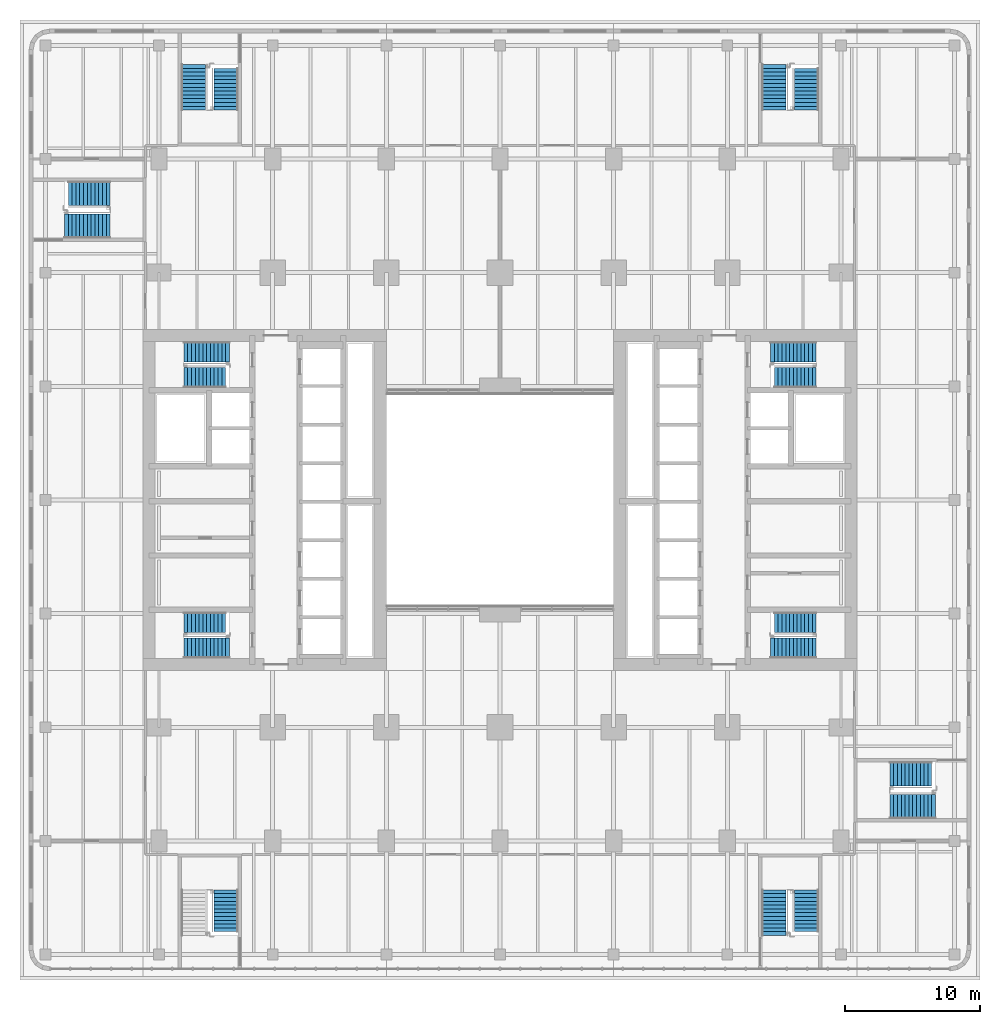
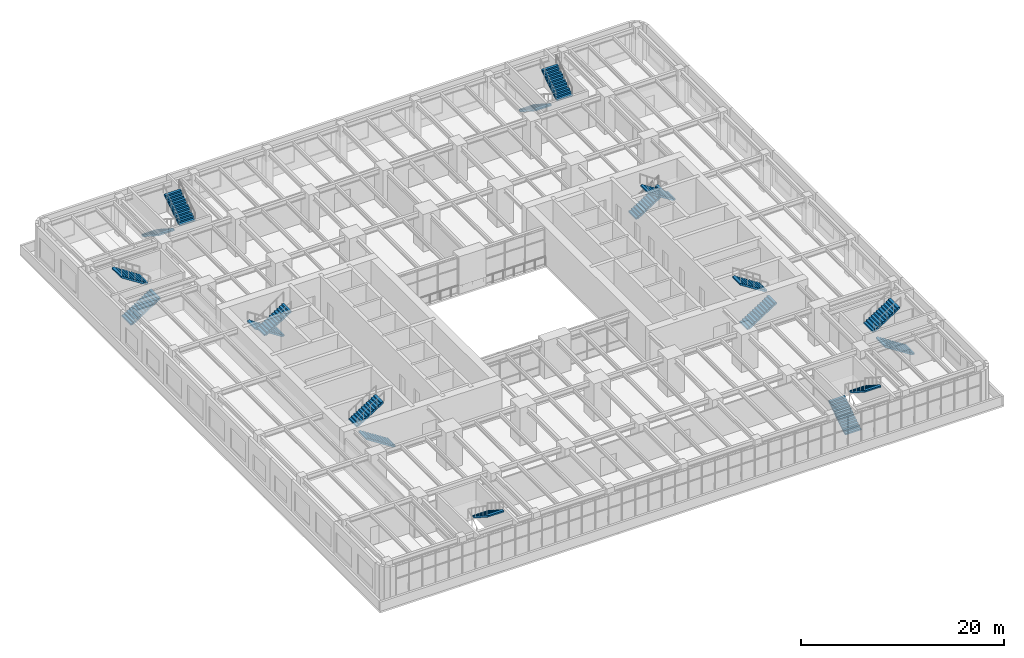
# One storey, part 23 of 30: 19 stair flights, 10 elements without a shape of their own.
"""IFC4 building model written with IfcOpenShell, lengths in metres."""

import ifcopenshell
import ifcopenshell.guid

model = None  # the IFC model being written
_history = None  # IfcOwnerHistory: only IFC2X3 demands one
_inside = {}  # id of a spatial element -> (the spatial element, [elements in it])
_under = {}  # id of a project, library or spatial element -> (it, [spatial elements below it])
_declared = {}  # id of a project -> (the project, [libraries it declares])
_typed = {}  # id of a type object -> (the type object, [elements of that type])
_made_of = {}  # id of a material, layer set ... -> (it, [elements and type objects made of it])


def new_model(schema):
    """Start an empty IFC model of exactly this schema.

    Asked for "IFC4X3", IfcOpenShell would pick the latest addendum, in which some entities
    have other attributes; the version numbers below select the first issue.
    IFC2X3 requires an IfcOwnerHistory on every rooted entity: one is made here for all.
    """
    global model, _history
    if schema == "IFC4X3":
        model = ifcopenshell.file(schema_version=(4, 3, 0, 0))
    else:
        model = ifcopenshell.file(schema=schema)
    _inside.clear()
    _under.clear()
    _declared.clear()
    _typed.clear()
    _made_of.clear()
    _history = None
    if model.schema == "IFC2X3":
        org = make("IfcOrganization", Name="unknown")
        user = make(
            "IfcPersonAndOrganization",
            ThePerson=make("IfcPerson", FamilyName="unknown"),
            TheOrganization=org,
        )
        app = make(
            "IfcApplication",
            ApplicationDeveloper=org,
            Version="unknown",
            ApplicationFullName="unknown",
            ApplicationIdentifier="unknown",
        )
        _history = make(
            "IfcOwnerHistory",
            OwningUser=user,
            OwningApplication=app,
            ChangeAction="ADDED",
            CreationDate=0,
        )
    return model


def make(cls, **values):
    """One entity of the class cls with the attributes given. An attribute that is None is left unset."""
    return model.create_entity(
        cls, **{name: value for name, value in values.items() if value is not None}
    )


def rooted(cls, **values):
    """An entity with a GlobalId (a new one), such as an element, a storey or a relation."""
    return make(cls, GlobalId=ifcopenshell.guid.new(), OwnerHistory=_history, **values)


def si_unit(unit_type, name, prefix=None):
    """IfcSIUnit, for example si_unit("LENGTHUNIT", "METRE", prefix="MILLI")."""
    return make("IfcSIUnit", UnitType=unit_type, Prefix=prefix, Name=name)


def assignment(units):
    """IfcUnitAssignment: the units of a project."""
    return None if units is None else make("IfcUnitAssignment", Units=units)


def point(xyz):
    """IfcCartesianPoint."""
    return None if xyz is None else make("IfcCartesianPoint", Coordinates=xyz)


def direction(xyz):
    """IfcDirection."""
    return None if xyz is None else make("IfcDirection", DirectionRatios=xyz)


def frame(location, z_axis=None, x_axis=None):
    """IfcAxis2Placement3D, a coordinate frame: its origin and axes. An axis left out is left unset."""
    return make(
        "IfcAxis2Placement3D",
        Location=point(location),
        Axis=direction(z_axis),
        RefDirection=direction(x_axis),
    )


def origin():
    """The frame at (0, 0, 0) with its axes left unset."""
    return frame((0.0, 0.0, 0.0))


def place(relative_to, where):
    """IfcLocalPlacement: puts the frame where relative to a parent placement (None: the world)."""
    return make(
        "IfcLocalPlacement", PlacementRelTo=relative_to, RelativePlacement=where
    )


def context(
    kind, dimensions, precision=None, world=None, true_north=None, identifier=None
):
    """IfcGeometricRepresentationContext, for example the 3D "Model" context."""
    return make(
        "IfcGeometricRepresentationContext",
        ContextIdentifier=identifier,
        ContextType=kind,
        CoordinateSpaceDimension=dimensions,
        Precision=precision,
        WorldCoordinateSystem=world,
        TrueNorth=true_north,
    )


def subcontext(parent, identifier, kind, view, scale=None):
    """IfcGeometricRepresentationSubContext, for example "Body" below "Model"."""
    return make(
        "IfcGeometricRepresentationSubContext",
        ContextIdentifier=identifier,
        ContextType=kind,
        ParentContext=parent,
        TargetScale=scale,
        TargetView=view,
    )


def project(units=None, contexts=None):
    """IfcProject with its units and contexts."""
    return rooted(
        "IfcProject",
        Name="project",
        RepresentationContexts=contexts,
        UnitsInContext=assignment(units),
    )


def spatial(cls, under=None, at=None, **own):
    """A site, building, storey or space (cls), placed at a placement, below another one or the project."""
    s = rooted(cls, ObjectPlacement=at, **own)
    if under is not None:
        _under.setdefault(under.id(), (under, []))[1].append(s)
    return s


def polyline(points):
    """IfcPolyline through the points."""
    return make("IfcPolyline", Points=[point(p) for p in points])


def outline(outer, holes=None, kind="AREA"):
    """IfcArbitraryClosedProfileDef: a profile drawn as a closed curve; with holes, ...WithVoids."""
    if holes is None:
        return make("IfcArbitraryClosedProfileDef", ProfileType=kind, OuterCurve=outer)
    return make(
        "IfcArbitraryProfileDefWithVoids",
        ProfileType=kind,
        OuterCurve=outer,
        InnerCurves=holes,
    )


def extrude(swept, where, along, depth):
    """IfcExtrudedAreaSolid: the profile swept, set in the frame where, extruded along a direction by depth."""
    return make(
        "IfcExtrudedAreaSolid",
        SweptArea=swept,
        Position=where,
        ExtrudedDirection=direction(along),
        Depth=depth,
    )


def shape(context_of_items, identifier, shape_type, items):
    """IfcShapeRepresentation: the items that make up one representation, for example the "Body"."""
    return make(
        "IfcShapeRepresentation",
        ContextOfItems=context_of_items,
        RepresentationIdentifier=identifier,
        RepresentationType=shape_type,
        Items=items,
    )


def material(Name=None, Category=None):
    """IfcMaterial."""
    return make("IfcMaterial", Name=Name, Category=Category)


def made_of(thing, what):
    """Note that an element or type object is made of a material, layer set ...; save() writes the relation."""
    if what is not None:
        _made_of.setdefault(what.id(), (what, []))[1].append(thing)
    return thing


def type_object(cls, material=None, **own):
    """A type object (cls), such as IfcWallType, which elements share."""
    return made_of(rooted(cls, **own), material)


def element(
    cls,
    number,
    at=None,
    inside=None,
    cuts=None,
    type_object=None,
    material=None,
    context=None,
    identifier="Body",
    shape_type=None,
    held_by="IfcProductDefinitionShape",
    body=None,
    shapes=None,
    **own,
):
    """One element of the class cls, such as IfcWall. Its Tag is "e" and its number.

    at: its placement. inside: the storey or other place that contains it. cuts: it is an
    opening in that element (IfcRelVoidsElement). A single representation is given by context,
    identifier, shape_type and body (its items); several are given by shapes. held_by: the class
    of the entity that holds the representations. save() writes the other relations.
    """
    e = rooted(cls, Tag="e%d" % number, ObjectPlacement=at, **own)
    if body is not None:
        shapes = [shape(context, identifier, shape_type, body)]
    if shapes is not None:
        e.Representation = make(held_by, Representations=shapes)
    if inside is not None:
        _inside.setdefault(inside.id(), (inside, []))[1].append(e)
    if cuts is not None:
        rooted(
            "IfcRelVoidsElement", RelatingBuildingElement=cuts, RelatedOpeningElement=e
        )
    if type_object is not None:
        _typed.setdefault(type_object.id(), (type_object, []))[1].append(e)
    return made_of(e, material)


def aggregate(whole, parts):
    """IfcRelAggregates: a whole, such as a stair, and the parts it consists of."""
    return rooted("IfcRelAggregates", RelatingObject=whole, RelatedObjects=parts)


def save(model, path):
    """Write the relations noted so far, then the file.

    IfcRelAggregates (storeys below a building ...), IfcRelContainedInSpatialStructure (elements
    in a storey), IfcRelDefinesByType, IfcRelAssociatesMaterial and IfcRelDeclares: one each for
    every whole, place, type object, material and project.
    """
    for whole, parts in _under.values():
        aggregate(whole, parts)
    for where, things in _inside.values():
        rooted(
            "IfcRelContainedInSpatialStructure",
            RelatedElements=things,
            RelatingStructure=where,
        )
    for kind, things in _typed.values():
        rooted("IfcRelDefinesByType", RelatedObjects=things, RelatingType=kind)
    for what, things in _made_of.values():
        rooted("IfcRelAssociatesMaterial", RelatedObjects=things, RelatingMaterial=what)
    for by, libraries in _declared.values():
        rooted("IfcRelDeclares", RelatingContext=by, RelatedDefinitions=libraries)
    model.write(path)


model = new_model("IFC4")

# Units and contexts
model_context = context("Model", 3, precision=1e-05, world=origin(), true_north=direction((0.0, 1.0)))
body_context = subcontext(model_context, "Body", "Model", "MODEL_VIEW")
ifc_project = project(units=[si_unit("LENGTHUNIT", "METRE"), si_unit("AREAUNIT", "SQUARE_METRE"), si_unit("VOLUMEUNIT", "CUBIC_METRE"), si_unit("PLANEANGLEUNIT", "RADIAN"), si_unit("MASSUNIT", "GRAM", prefix="KILO")], contexts=[model_context])

# Site, building, storey
site_placement = place(None, origin())
site = spatial("IfcSite", under=ifc_project, at=site_placement, CompositionType="ELEMENT")
building_placement = place(site_placement, origin())
building = spatial("IfcBuilding", under=site, at=building_placement, Name="Claustro Exchange Tower", CompositionType="ELEMENT")
storey_placement = place(building_placement, frame((0.0, 0.0, 5.39990234375)))
storey = spatial("IfcBuildingStorey", under=building, at=storey_placement, Name="L01", CompositionType="ELEMENT", Elevation=5.39990234375)

# Stair, stair flight
ifc_material_1 = material(Name="Concrete HA-30 (C30/37), precast", Category="concrete")
stair_type_1 = type_object("IfcStairType", Name="ST2 half-turn stair, 25 risers of 180", PredefinedType="HALF_TURN_STAIR", material=ifc_material_1)
stair_1_placement = place(storey_placement, origin())
stair_1 = element("IfcStair", 1, at=stair_1_placement, inside=storey, type_object=stair_type_1, Name="Stair STWA L01", PredefinedType="HALF_TURN_STAIR")
ifc_material_2 = material(Name="Concrete HA-30 (C30/37), precast", Category="concrete")
stair_flight_type_1 = type_object("IfcStairFlightType", Name="SF12B straight flight, 12 risers of 180, 1500 wide", PredefinedType="STRAIGHT", material=ifc_material_2)
stair_flight_1_placement = place(storey_placement, frame((1.840087890625, 16.14990234375, 2.340087890625), z_axis=(0.0, 0.0, 1.0), x_axis=(1.0, 0.0, 0.0)))
stair_flight_1 = element("IfcStairFlight", 2, at=stair_flight_1_placement, type_object=stair_flight_type_1, Name="STWA flight 2", NumberOfRisers=12, NumberOfTreads=11, PredefinedType="STRAIGHT", RiserHeight=0.18, TreadLength=0.28, context=body_context, shape_type="SweptSolid", body=[
    extrude(outline(polyline([(0.0, 0.0), (0.0, 0.179931640625), (0.280029296875, 0.179931640625), (0.280029296875, 0.360107421875), (0.56005859375, 0.360107421875), (0.56005859375, 0.5400390625), (0.840087890625, 0.5400390625), (0.840087890625, 0.719970703125), (1.1201171875, 0.719970703125), (1.1201171875, 0.89990234375), (1.39990234375, 0.89990234375), (1.39990234375, 1.080078125), (1.679931640625, 1.080078125), (1.679931640625, 1.260009765625), (1.9599609375, 1.260009765625), (1.9599609375, 1.43994140625), (2.239990234375, 1.43994140625), (2.239990234375, 1.6201171875), (2.52001953125, 1.6201171875), (2.52001953125, 1.800048828125), (2.800048828125, 1.800048828125), (2.800048828125, 1.97998046875), (3.080078125, 1.97998046875), (3.080078125, 2.159912109375), (3.080078125, 1.8017578125), (0.277099609375, 0.0), (0.0, 0.0)])), frame((0.0, 0.75, 0.0), z_axis=(0.0, -1.0, 0.0), x_axis=(1.0, 0.0, 0.0)), (0.0, 0.0, 1.0), 1.5),
])

stair_2_placement = place(storey_placement, origin())
stair_2 = element("IfcStair", 3, at=stair_2_placement, inside=storey, type_object=stair_type_1, Name="Stair STWB L01", PredefinedType="HALF_TURN_STAIR")
stair_flight_2_placement = place(storey_placement, frame((1.840087890625, 34.25, 2.340087890625), z_axis=(0.0, 0.0, 1.0), x_axis=(1.0, 0.0, 0.0)))
stair_flight_2 = element("IfcStairFlight", 4, at=stair_flight_2_placement, type_object=stair_flight_type_1, Name="STWB flight 2", NumberOfRisers=12, NumberOfTreads=11, PredefinedType="STRAIGHT", RiserHeight=0.18, TreadLength=0.28, context=body_context, shape_type="SweptSolid", body=[
    extrude(outline(polyline([(0.0, 0.0), (0.0, 0.179931640625), (0.280029296875, 0.179931640625), (0.280029296875, 0.360107421875), (0.56005859375, 0.360107421875), (0.56005859375, 0.5400390625), (0.840087890625, 0.5400390625), (0.840087890625, 0.719970703125), (1.1201171875, 0.719970703125), (1.1201171875, 0.89990234375), (1.39990234375, 0.89990234375), (1.39990234375, 1.080078125), (1.679931640625, 1.080078125), (1.679931640625, 1.260009765625), (1.9599609375, 1.260009765625), (1.9599609375, 1.43994140625), (2.239990234375, 1.43994140625), (2.239990234375, 1.6201171875), (2.52001953125, 1.6201171875), (2.52001953125, 1.800048828125), (2.800048828125, 1.800048828125), (2.800048828125, 1.97998046875), (3.080078125, 1.97998046875), (3.080078125, 2.159912109375), (3.080078125, 1.8017578125), (0.277099609375, 0.0), (0.0, 0.0)])), frame((0.0, 0.75, 0.0), z_axis=(0.0, -1.0, 0.0), x_axis=(1.0, 0.0, 0.0)), (0.0, 0.0, 1.0), 1.5),
])

stair_3_placement = place(storey_placement, origin())
stair_3 = element("IfcStair", 5, at=stair_3_placement, inside=storey, type_object=stair_type_1, Name="Stair STEA L01", PredefinedType="HALF_TURN_STAIR")
stair_flight_3_placement = place(storey_placement, frame((48.56005859375, 16.14990234375, 2.340087890625), z_axis=(0.0, 0.0, 1.0), x_axis=(-1.0, 0.0, 0.0)))
stair_flight_3 = element("IfcStairFlight", 6, at=stair_flight_3_placement, type_object=stair_flight_type_1, Name="STEA flight 2", NumberOfRisers=12, NumberOfTreads=11, PredefinedType="STRAIGHT", RiserHeight=0.18, TreadLength=0.28, context=body_context, shape_type="SweptSolid", body=[
    extrude(outline(polyline([(0.0, 0.0), (0.0, 0.179931640625), (0.280029296875, 0.179931640625), (0.280029296875, 0.360107421875), (0.56005859375, 0.360107421875), (0.56005859375, 0.5400390625), (0.840087890625, 0.5400390625), (0.840087890625, 0.719970703125), (1.1201171875, 0.719970703125), (1.1201171875, 0.89990234375), (1.39990234375, 0.89990234375), (1.39990234375, 1.080078125), (1.679931640625, 1.080078125), (1.679931640625, 1.260009765625), (1.9599609375, 1.260009765625), (1.9599609375, 1.43994140625), (2.239990234375, 1.43994140625), (2.239990234375, 1.6201171875), (2.52001953125, 1.6201171875), (2.52001953125, 1.800048828125), (2.800048828125, 1.800048828125), (2.800048828125, 1.97998046875), (3.080078125, 1.97998046875), (3.080078125, 2.159912109375), (3.080078125, 1.8017578125), (0.277099609375, 0.0), (0.0, 0.0)])), frame((0.0, 0.75, 0.0), z_axis=(0.0, -1.0, 0.0), x_axis=(1.0, 0.0, 0.0)), (0.0, 0.0, 1.0), 1.5),
])

stair_4_placement = place(storey_placement, origin())
stair_4 = element("IfcStair", 7, at=stair_4_placement, inside=storey, type_object=stair_type_1, Name="Stair STEB L01", PredefinedType="HALF_TURN_STAIR")
stair_flight_4_placement = place(storey_placement, frame((48.56005859375, 34.25, 2.340087890625), z_axis=(0.0, 0.0, 1.0), x_axis=(-1.0, 0.0, 0.0)))
stair_flight_4 = element("IfcStairFlight", 8, at=stair_flight_4_placement, type_object=stair_flight_type_1, Name="STEB flight 2", NumberOfRisers=12, NumberOfTreads=11, PredefinedType="STRAIGHT", RiserHeight=0.18, TreadLength=0.28, context=body_context, shape_type="SweptSolid", body=[
    extrude(outline(polyline([(0.0, 0.0), (0.0, 0.179931640625), (0.280029296875, 0.179931640625), (0.280029296875, 0.360107421875), (0.56005859375, 0.360107421875), (0.56005859375, 0.5400390625), (0.840087890625, 0.5400390625), (0.840087890625, 0.719970703125), (1.1201171875, 0.719970703125), (1.1201171875, 0.89990234375), (1.39990234375, 0.89990234375), (1.39990234375, 1.080078125), (1.679931640625, 1.080078125), (1.679931640625, 1.260009765625), (1.9599609375, 1.260009765625), (1.9599609375, 1.43994140625), (2.239990234375, 1.43994140625), (2.239990234375, 1.6201171875), (2.52001953125, 1.6201171875), (2.52001953125, 1.800048828125), (2.800048828125, 1.800048828125), (2.800048828125, 1.97998046875), (3.080078125, 1.97998046875), (3.080078125, 2.159912109375), (3.080078125, 1.8017578125), (0.277099609375, 0.0), (0.0, 0.0)])), frame((0.0, 0.75, 0.0), z_axis=(0.0, -1.0, 0.0), x_axis=(1.0, 0.0, 0.0)), (0.0, 0.0, 1.0), 1.5),
])

# Stair flight
ifc_material_3 = material(Name="Concrete HA-30 (C30/37), precast", Category="concrete")
stair_flight_type_2 = type_object("IfcStairFlightType", Name="SF13 straight flight, 13 risers of 180, 1500 wide", PredefinedType="STRAIGHT", material=ifc_material_3)
stair_flight_5_placement = place(storey_placement, frame((5.199951171875, 14.25, 0.0), z_axis=(0.0, 0.0, 1.0), x_axis=(-1.0, 0.0, 0.0)))
stair_flight_5 = element("IfcStairFlight", 9, at=stair_flight_5_placement, type_object=stair_flight_type_2, Name="STWA flight 1", NumberOfRisers=13, NumberOfTreads=12, PredefinedType="STRAIGHT", RiserHeight=0.18, TreadLength=0.28, context=body_context, shape_type="SweptSolid", body=[
    extrude(outline(polyline([(0.0, 0.0), (0.0, 0.179931640625), (0.280029296875, 0.179931640625), (0.280029296875, 0.360107421875), (0.56005859375, 0.360107421875), (0.56005859375, 0.5400390625), (0.840087890625, 0.5400390625), (0.840087890625, 0.719970703125), (1.1201171875, 0.719970703125), (1.1201171875, 0.89990234375), (1.39990234375, 0.89990234375), (1.39990234375, 1.080078125), (1.679931640625, 1.080078125), (1.679931640625, 1.260009765625), (1.9599609375, 1.260009765625), (1.9599609375, 1.43994140625), (2.239990234375, 1.43994140625), (2.239990234375, 1.6201171875), (2.52001953125, 1.6201171875), (2.52001953125, 1.800048828125), (2.800048828125, 1.800048828125), (2.800048828125, 1.97998046875), (3.080078125, 1.97998046875), (3.080078125, 2.159912109375), (3.360107421875, 2.159912109375), (3.360107421875, 2.340087890625), (3.360107421875, 1.981689453125), (0.277099609375, 0.0), (0.0, 0.0)])), frame((0.0, 0.75, 0.0), z_axis=(0.0, -1.0, 0.0), x_axis=(1.0, 0.0, 0.0)), (0.0, 0.0, 1.0), 1.5),
])

aggregate(stair_1, [stair_flight_5, stair_flight_1])

stair_flight_6_placement = place(storey_placement, frame((5.199951171875, 36.14990234375, 0.0), z_axis=(0.0, 0.0, 1.0), x_axis=(-1.0, 0.0, 0.0)))
stair_flight_6 = element("IfcStairFlight", 10, at=stair_flight_6_placement, type_object=stair_flight_type_2, Name="STWB flight 1", NumberOfRisers=13, NumberOfTreads=12, PredefinedType="STRAIGHT", RiserHeight=0.18, TreadLength=0.28, context=body_context, shape_type="SweptSolid", body=[
    extrude(outline(polyline([(0.0, 0.0), (0.0, 0.179931640625), (0.280029296875, 0.179931640625), (0.280029296875, 0.360107421875), (0.56005859375, 0.360107421875), (0.56005859375, 0.5400390625), (0.840087890625, 0.5400390625), (0.840087890625, 0.719970703125), (1.1201171875, 0.719970703125), (1.1201171875, 0.89990234375), (1.39990234375, 0.89990234375), (1.39990234375, 1.080078125), (1.679931640625, 1.080078125), (1.679931640625, 1.260009765625), (1.9599609375, 1.260009765625), (1.9599609375, 1.43994140625), (2.239990234375, 1.43994140625), (2.239990234375, 1.6201171875), (2.52001953125, 1.6201171875), (2.52001953125, 1.800048828125), (2.800048828125, 1.800048828125), (2.800048828125, 1.97998046875), (3.080078125, 1.97998046875), (3.080078125, 2.159912109375), (3.360107421875, 2.159912109375), (3.360107421875, 2.340087890625), (3.360107421875, 1.981689453125), (0.277099609375, 0.0), (0.0, 0.0)])), frame((0.0, 0.75, 0.0), z_axis=(0.0, -1.0, 0.0), x_axis=(1.0, 0.0, 0.0)), (0.0, 0.0, 1.0), 1.5),
])

aggregate(stair_2, [stair_flight_6, stair_flight_2])

stair_flight_7_placement = place(storey_placement, frame((45.199951171875, 14.25, 0.0), z_axis=(0.0, 0.0, 1.0), x_axis=(1.0, 0.0, 0.0)))
stair_flight_7 = element("IfcStairFlight", 11, at=stair_flight_7_placement, type_object=stair_flight_type_2, Name="STEA flight 1", NumberOfRisers=13, NumberOfTreads=12, PredefinedType="STRAIGHT", RiserHeight=0.18, TreadLength=0.28, context=body_context, shape_type="SweptSolid", body=[
    extrude(outline(polyline([(0.0, 0.0), (0.0, 0.179931640625), (0.280029296875, 0.179931640625), (0.280029296875, 0.360107421875), (0.56005859375, 0.360107421875), (0.56005859375, 0.5400390625), (0.840087890625, 0.5400390625), (0.840087890625, 0.719970703125), (1.1201171875, 0.719970703125), (1.1201171875, 0.89990234375), (1.39990234375, 0.89990234375), (1.39990234375, 1.080078125), (1.679931640625, 1.080078125), (1.679931640625, 1.260009765625), (1.9599609375, 1.260009765625), (1.9599609375, 1.43994140625), (2.239990234375, 1.43994140625), (2.239990234375, 1.6201171875), (2.52001953125, 1.6201171875), (2.52001953125, 1.800048828125), (2.800048828125, 1.800048828125), (2.800048828125, 1.97998046875), (3.080078125, 1.97998046875), (3.080078125, 2.159912109375), (3.360107421875, 2.159912109375), (3.360107421875, 2.340087890625), (3.360107421875, 1.981689453125), (0.277099609375, 0.0), (0.0, 0.0)])), frame((0.0, 0.75, 0.0), z_axis=(0.0, -1.0, 0.0), x_axis=(1.0, 0.0, 0.0)), (0.0, 0.0, 1.0), 1.5),
])

aggregate(stair_3, [stair_flight_7, stair_flight_3])

stair_flight_8_placement = place(storey_placement, frame((45.199951171875, 36.14990234375, 0.0), z_axis=(0.0, 0.0, 1.0), x_axis=(1.0, 0.0, 0.0)))
stair_flight_8 = element("IfcStairFlight", 12, at=stair_flight_8_placement, type_object=stair_flight_type_2, Name="STEB flight 1", NumberOfRisers=13, NumberOfTreads=12, PredefinedType="STRAIGHT", RiserHeight=0.18, TreadLength=0.28, context=body_context, shape_type="SweptSolid", body=[
    extrude(outline(polyline([(0.0, 0.0), (0.0, 0.179931640625), (0.280029296875, 0.179931640625), (0.280029296875, 0.360107421875), (0.56005859375, 0.360107421875), (0.56005859375, 0.5400390625), (0.840087890625, 0.5400390625), (0.840087890625, 0.719970703125), (1.1201171875, 0.719970703125), (1.1201171875, 0.89990234375), (1.39990234375, 0.89990234375), (1.39990234375, 1.080078125), (1.679931640625, 1.080078125), (1.679931640625, 1.260009765625), (1.9599609375, 1.260009765625), (1.9599609375, 1.43994140625), (2.239990234375, 1.43994140625), (2.239990234375, 1.6201171875), (2.52001953125, 1.6201171875), (2.52001953125, 1.800048828125), (2.800048828125, 1.800048828125), (2.800048828125, 1.97998046875), (3.080078125, 1.97998046875), (3.080078125, 2.159912109375), (3.360107421875, 2.159912109375), (3.360107421875, 2.340087890625), (3.360107421875, 1.981689453125), (0.277099609375, 0.0), (0.0, 0.0)])), frame((0.0, 0.75, 0.0), z_axis=(0.0, -1.0, 0.0), x_axis=(1.0, 0.0, 0.0)), (0.0, 0.0, 1.0), 1.5),
])

aggregate(stair_4, [stair_flight_8, stair_flight_4])

# Stair, stair flight
ifc_material_4 = material(Name="Concrete HA-30 (C30/37), precast", Category="concrete")
stair_type_2 = type_object("IfcStairType", Name="ST5 half-turn podium escape stair, 25 risers of 180, 1800 flights", PredefinedType="HALF_TURN_STAIR", material=ifc_material_4)
stair_5_placement = place(storey_placement, origin())
stair_5 = element("IfcStair", 13, at=stair_5_placement, inside=storey, type_object=stair_type_2, Name="Stair STP1 L01", PredefinedType="HALF_TURN_STAIR")
ifc_material_5 = material(Name="Concrete HA-30 (C30/37), precast", Category="concrete")
stair_flight_type_3 = type_object("IfcStairFlightType", Name="SFP12 straight flight, 12 risers of 180, 1800 wide", PredefinedType="STRAIGHT", material=ifc_material_5)
stair_flight_9_placement = place(storey_placement, frame((4.949951171875, -3.6201171875, 2.340087890625), z_axis=(0.0, 0.0, 1.0), x_axis=(0.0, -1.0, 0.0)))
stair_flight_9 = element("IfcStairFlight", 14, at=stair_flight_9_placement, type_object=stair_flight_type_3, Name="STP1 flight 2", NumberOfRisers=12, NumberOfTreads=11, PredefinedType="STRAIGHT", RiserHeight=0.18, TreadLength=0.28, context=body_context, shape_type="SweptSolid", body=[
    extrude(outline(polyline([(0.0, 0.0), (0.0, 0.179931640625), (0.280029296875, 0.179931640625), (0.280029296875, 0.360107421875), (0.56005859375, 0.360107421875), (0.56005859375, 0.5400390625), (0.840087890625, 0.5400390625), (0.840087890625, 0.719970703125), (1.1201171875, 0.719970703125), (1.1201171875, 0.89990234375), (1.39990234375, 0.89990234375), (1.39990234375, 1.080078125), (1.679931640625, 1.080078125), (1.679931640625, 1.260009765625), (1.9599609375, 1.260009765625), (1.9599609375, 1.43994140625), (2.239990234375, 1.43994140625), (2.239990234375, 1.6201171875), (2.52001953125, 1.6201171875), (2.52001953125, 1.800048828125), (2.800048828125, 1.800048828125), (2.800048828125, 1.97998046875), (3.080078125, 1.97998046875), (3.080078125, 2.159912109375), (3.080078125, 1.8017578125), (0.277099609375, 0.0), (0.0, 0.0)])), frame((0.0, 0.89990234375, 0.0), z_axis=(0.0, -1.0, 0.0), x_axis=(1.0, 0.0, 0.0)), (0.0, 0.0, 1.0), 1.800048828125),
])
aggregate(stair_5, [stair_flight_9])

stair_6_placement = place(storey_placement, origin())
stair_6 = element("IfcStair", 15, at=stair_6_placement, inside=storey, type_object=stair_type_2, Name="Stair STP2 L01", PredefinedType="HALF_TURN_STAIR")
stair_flight_10_placement = place(storey_placement, frame((47.85009765625, -3.6201171875, 2.340087890625), z_axis=(0.0, 0.0, 1.0), x_axis=(0.0, -1.0, 0.0)))
stair_flight_10 = element("IfcStairFlight", 16, at=stair_flight_10_placement, type_object=stair_flight_type_3, Name="STP2 flight 2", NumberOfRisers=12, NumberOfTreads=11, PredefinedType="STRAIGHT", RiserHeight=0.18, TreadLength=0.28, context=body_context, shape_type="SweptSolid", body=[
    extrude(outline(polyline([(0.0, 0.0), (0.0, 0.179931640625), (0.280029296875, 0.179931640625), (0.280029296875, 0.360107421875), (0.56005859375, 0.360107421875), (0.56005859375, 0.5400390625), (0.840087890625, 0.5400390625), (0.840087890625, 0.719970703125), (1.1201171875, 0.719970703125), (1.1201171875, 0.89990234375), (1.39990234375, 0.89990234375), (1.39990234375, 1.080078125), (1.679931640625, 1.080078125), (1.679931640625, 1.260009765625), (1.9599609375, 1.260009765625), (1.9599609375, 1.43994140625), (2.239990234375, 1.43994140625), (2.239990234375, 1.6201171875), (2.52001953125, 1.6201171875), (2.52001953125, 1.800048828125), (2.800048828125, 1.800048828125), (2.800048828125, 1.97998046875), (3.080078125, 1.97998046875), (3.080078125, 2.159912109375), (3.080078125, 1.8017578125), (0.277099609375, 0.0), (0.0, 0.0)])), frame((0.0, 0.89990234375, 0.0), z_axis=(0.0, -1.0, 0.0), x_axis=(1.0, 0.0, 0.0)), (0.0, 0.0, 1.0), 1.800048828125),
])

stair_7_placement = place(storey_placement, origin())
stair_7 = element("IfcStair", 17, at=stair_7_placement, inside=storey, type_object=stair_type_2, Name="Stair STP3 L01", PredefinedType="HALF_TURN_STAIR")
stair_flight_11_placement = place(storey_placement, frame((4.949951171875, 54.02001953125, 2.340087890625), z_axis=(0.0, 0.0, 1.0), x_axis=(0.0, 1.0, 0.0)))
stair_flight_11 = element("IfcStairFlight", 18, at=stair_flight_11_placement, type_object=stair_flight_type_3, Name="STP3 flight 2", NumberOfRisers=12, NumberOfTreads=11, PredefinedType="STRAIGHT", RiserHeight=0.18, TreadLength=0.28, context=body_context, shape_type="SweptSolid", body=[
    extrude(outline(polyline([(0.0, 0.0), (0.0, 0.179931640625), (0.280029296875, 0.179931640625), (0.280029296875, 0.360107421875), (0.56005859375, 0.360107421875), (0.56005859375, 0.5400390625), (0.840087890625, 0.5400390625), (0.840087890625, 0.719970703125), (1.1201171875, 0.719970703125), (1.1201171875, 0.89990234375), (1.39990234375, 0.89990234375), (1.39990234375, 1.080078125), (1.679931640625, 1.080078125), (1.679931640625, 1.260009765625), (1.9599609375, 1.260009765625), (1.9599609375, 1.43994140625), (2.239990234375, 1.43994140625), (2.239990234375, 1.6201171875), (2.52001953125, 1.6201171875), (2.52001953125, 1.800048828125), (2.800048828125, 1.800048828125), (2.800048828125, 1.97998046875), (3.080078125, 1.97998046875), (3.080078125, 2.159912109375), (3.080078125, 1.8017578125), (0.277099609375, 0.0), (0.0, 0.0)])), frame((0.0, 0.89990234375, 0.0), z_axis=(0.0, -1.0, 0.0), x_axis=(1.0, 0.0, 0.0)), (0.0, 0.0, 1.0), 1.800048828125),
])

stair_8_placement = place(storey_placement, origin())
stair_8 = element("IfcStair", 19, at=stair_8_placement, inside=storey, type_object=stair_type_2, Name="Stair STP4 L01", PredefinedType="HALF_TURN_STAIR")
stair_flight_12_placement = place(storey_placement, frame((47.85009765625, 54.02001953125, 2.340087890625), z_axis=(0.0, 0.0, 1.0), x_axis=(0.0, 1.0, 0.0)))
stair_flight_12 = element("IfcStairFlight", 20, at=stair_flight_12_placement, type_object=stair_flight_type_3, Name="STP4 flight 2", NumberOfRisers=12, NumberOfTreads=11, PredefinedType="STRAIGHT", RiserHeight=0.18, TreadLength=0.28, context=body_context, shape_type="SweptSolid", body=[
    extrude(outline(polyline([(0.0, 0.0), (0.0, 0.179931640625), (0.280029296875, 0.179931640625), (0.280029296875, 0.360107421875), (0.56005859375, 0.360107421875), (0.56005859375, 0.5400390625), (0.840087890625, 0.5400390625), (0.840087890625, 0.719970703125), (1.1201171875, 0.719970703125), (1.1201171875, 0.89990234375), (1.39990234375, 0.89990234375), (1.39990234375, 1.080078125), (1.679931640625, 1.080078125), (1.679931640625, 1.260009765625), (1.9599609375, 1.260009765625), (1.9599609375, 1.43994140625), (2.239990234375, 1.43994140625), (2.239990234375, 1.6201171875), (2.52001953125, 1.6201171875), (2.52001953125, 1.800048828125), (2.800048828125, 1.800048828125), (2.800048828125, 1.97998046875), (3.080078125, 1.97998046875), (3.080078125, 2.159912109375), (3.080078125, 1.8017578125), (0.277099609375, 0.0), (0.0, 0.0)])), frame((0.0, 0.89990234375, 0.0), z_axis=(0.0, -1.0, 0.0), x_axis=(1.0, 0.0, 0.0)), (0.0, 0.0, 1.0), 1.800048828125),
])

stair_9_placement = place(storey_placement, origin())
stair_9 = element("IfcStair", 21, at=stair_9_placement, inside=storey, type_object=stair_type_2, Name="Stair STP5 L01", PredefinedType="HALF_TURN_STAIR")
stair_flight_13_placement = place(storey_placement, frame((-3.6201171875, 47.85009765625, 2.340087890625), z_axis=(0.0, 0.0, 1.0), x_axis=(-1.0, 0.0, 0.0)))
stair_flight_13 = element("IfcStairFlight", 22, at=stair_flight_13_placement, type_object=stair_flight_type_3, Name="STP5 flight 2", NumberOfRisers=12, NumberOfTreads=11, PredefinedType="STRAIGHT", RiserHeight=0.18, TreadLength=0.28, context=body_context, shape_type="SweptSolid", body=[
    extrude(outline(polyline([(0.0, 0.0), (0.0, 0.179931640625), (0.280029296875, 0.179931640625), (0.280029296875, 0.360107421875), (0.56005859375, 0.360107421875), (0.56005859375, 0.5400390625), (0.840087890625, 0.5400390625), (0.840087890625, 0.719970703125), (1.1201171875, 0.719970703125), (1.1201171875, 0.89990234375), (1.39990234375, 0.89990234375), (1.39990234375, 1.080078125), (1.679931640625, 1.080078125), (1.679931640625, 1.260009765625), (1.9599609375, 1.260009765625), (1.9599609375, 1.43994140625), (2.239990234375, 1.43994140625), (2.239990234375, 1.6201171875), (2.52001953125, 1.6201171875), (2.52001953125, 1.800048828125), (2.800048828125, 1.800048828125), (2.800048828125, 1.97998046875), (3.080078125, 1.97998046875), (3.080078125, 2.159912109375), (3.080078125, 1.8017578125), (0.277099609375, 0.0), (0.0, 0.0)])), frame((0.0, 0.89990234375, 0.0), z_axis=(0.0, -1.0, 0.0), x_axis=(1.0, 0.0, 0.0)), (0.0, 0.0, 1.0), 1.800048828125),
])

stair_10_placement = place(storey_placement, origin())
stair_10 = element("IfcStair", 23, at=stair_10_placement, inside=storey, type_object=stair_type_2, Name="Stair STP6 L01", PredefinedType="HALF_TURN_STAIR")
stair_flight_14_placement = place(storey_placement, frame((54.02001953125, 4.949951171875, 2.340087890625), z_axis=(0.0, 0.0, 1.0), x_axis=(1.0, 0.0, 0.0)))
stair_flight_14 = element("IfcStairFlight", 24, at=stair_flight_14_placement, type_object=stair_flight_type_3, Name="STP6 flight 2", NumberOfRisers=12, NumberOfTreads=11, PredefinedType="STRAIGHT", RiserHeight=0.18, TreadLength=0.28, context=body_context, shape_type="SweptSolid", body=[
    extrude(outline(polyline([(0.0, 0.0), (0.0, 0.179931640625), (0.280029296875, 0.179931640625), (0.280029296875, 0.360107421875), (0.56005859375, 0.360107421875), (0.56005859375, 0.5400390625), (0.840087890625, 0.5400390625), (0.840087890625, 0.719970703125), (1.1201171875, 0.719970703125), (1.1201171875, 0.89990234375), (1.39990234375, 0.89990234375), (1.39990234375, 1.080078125), (1.679931640625, 1.080078125), (1.679931640625, 1.260009765625), (1.9599609375, 1.260009765625), (1.9599609375, 1.43994140625), (2.239990234375, 1.43994140625), (2.239990234375, 1.6201171875), (2.52001953125, 1.6201171875), (2.52001953125, 1.800048828125), (2.800048828125, 1.800048828125), (2.800048828125, 1.97998046875), (3.080078125, 1.97998046875), (3.080078125, 2.159912109375), (3.080078125, 1.8017578125), (0.277099609375, 0.0), (0.0, 0.0)])), frame((0.0, 0.89990234375, 0.0), z_axis=(0.0, -1.0, 0.0), x_axis=(1.0, 0.0, 0.0)), (0.0, 0.0, 1.0), 1.800048828125),
])

# Stair flight
ifc_material_6 = material(Name="Concrete HA-30 (C30/37), precast", Category="concrete")
stair_flight_type_4 = type_object("IfcStairFlightType", Name="SFP13 straight flight, 13 risers of 180, 1800 wide", PredefinedType="STRAIGHT", material=ifc_material_6)
stair_flight_15_placement = place(storey_placement, frame((45.449951171875, -6.97998046875, 0.0), z_axis=(0.0, 0.0, 1.0), x_axis=(0.0, 1.0, 0.0)))
stair_flight_15 = element("IfcStairFlight", 25, at=stair_flight_15_placement, type_object=stair_flight_type_4, Name="STP2 flight 1", NumberOfRisers=13, NumberOfTreads=12, PredefinedType="STRAIGHT", RiserHeight=0.18, TreadLength=0.28, context=body_context, shape_type="SweptSolid", body=[
    extrude(outline(polyline([(0.0, 0.0), (0.0, 0.179931640625), (0.280029296875, 0.179931640625), (0.280029296875, 0.360107421875), (0.56005859375, 0.360107421875), (0.56005859375, 0.5400390625), (0.840087890625, 0.5400390625), (0.840087890625, 0.719970703125), (1.1201171875, 0.719970703125), (1.1201171875, 0.89990234375), (1.39990234375, 0.89990234375), (1.39990234375, 1.080078125), (1.679931640625, 1.080078125), (1.679931640625, 1.260009765625), (1.9599609375, 1.260009765625), (1.9599609375, 1.43994140625), (2.239990234375, 1.43994140625), (2.239990234375, 1.6201171875), (2.52001953125, 1.6201171875), (2.52001953125, 1.800048828125), (2.800048828125, 1.800048828125), (2.800048828125, 1.97998046875), (3.080078125, 1.97998046875), (3.080078125, 2.159912109375), (3.360107421875, 2.159912109375), (3.360107421875, 2.340087890625), (3.360107421875, 1.981689453125), (0.277099609375, 0.0), (0.0, 0.0)])), frame((0.0, 0.89990234375, 0.0), z_axis=(0.0, -1.0, 0.0), x_axis=(1.0, 0.0, 0.0)), (0.0, 0.0, 1.0), 1.800048828125),
])

aggregate(stair_6, [stair_flight_15, stair_flight_10])

stair_flight_16_placement = place(storey_placement, frame((2.550048828125, 57.3798828125, 0.0), z_axis=(0.0, 0.0, 1.0), x_axis=(0.0, -1.0, 0.0)))
stair_flight_16 = element("IfcStairFlight", 26, at=stair_flight_16_placement, type_object=stair_flight_type_4, Name="STP3 flight 1", NumberOfRisers=13, NumberOfTreads=12, PredefinedType="STRAIGHT", RiserHeight=0.18, TreadLength=0.28, context=body_context, shape_type="SweptSolid", body=[
    extrude(outline(polyline([(0.0, 0.0), (0.0, 0.179931640625), (0.280029296875, 0.179931640625), (0.280029296875, 0.360107421875), (0.56005859375, 0.360107421875), (0.56005859375, 0.5400390625), (0.840087890625, 0.5400390625), (0.840087890625, 0.719970703125), (1.1201171875, 0.719970703125), (1.1201171875, 0.89990234375), (1.39990234375, 0.89990234375), (1.39990234375, 1.080078125), (1.679931640625, 1.080078125), (1.679931640625, 1.260009765625), (1.9599609375, 1.260009765625), (1.9599609375, 1.43994140625), (2.239990234375, 1.43994140625), (2.239990234375, 1.6201171875), (2.52001953125, 1.6201171875), (2.52001953125, 1.800048828125), (2.800048828125, 1.800048828125), (2.800048828125, 1.97998046875), (3.080078125, 1.97998046875), (3.080078125, 2.159912109375), (3.360107421875, 2.159912109375), (3.360107421875, 2.340087890625), (3.360107421875, 1.981689453125), (0.277099609375, 0.0), (0.0, 0.0)])), frame((0.0, 0.89990234375, 0.0), z_axis=(0.0, -1.0, 0.0), x_axis=(1.0, 0.0, 0.0)), (0.0, 0.0, 1.0), 1.800048828125),
])

aggregate(stair_7, [stair_flight_16, stair_flight_11])

stair_flight_17_placement = place(storey_placement, frame((45.449951171875, 57.3798828125, 0.0), z_axis=(0.0, 0.0, 1.0), x_axis=(0.0, -1.0, 0.0)))
stair_flight_17 = element("IfcStairFlight", 27, at=stair_flight_17_placement, type_object=stair_flight_type_4, Name="STP4 flight 1", NumberOfRisers=13, NumberOfTreads=12, PredefinedType="STRAIGHT", RiserHeight=0.18, TreadLength=0.28, context=body_context, shape_type="SweptSolid", body=[
    extrude(outline(polyline([(0.0, 0.0), (0.0, 0.179931640625), (0.280029296875, 0.179931640625), (0.280029296875, 0.360107421875), (0.56005859375, 0.360107421875), (0.56005859375, 0.5400390625), (0.840087890625, 0.5400390625), (0.840087890625, 0.719970703125), (1.1201171875, 0.719970703125), (1.1201171875, 0.89990234375), (1.39990234375, 0.89990234375), (1.39990234375, 1.080078125), (1.679931640625, 1.080078125), (1.679931640625, 1.260009765625), (1.9599609375, 1.260009765625), (1.9599609375, 1.43994140625), (2.239990234375, 1.43994140625), (2.239990234375, 1.6201171875), (2.52001953125, 1.6201171875), (2.52001953125, 1.800048828125), (2.800048828125, 1.800048828125), (2.800048828125, 1.97998046875), (3.080078125, 1.97998046875), (3.080078125, 2.159912109375), (3.360107421875, 2.159912109375), (3.360107421875, 2.340087890625), (3.360107421875, 1.981689453125), (0.277099609375, 0.0), (0.0, 0.0)])), frame((0.0, 0.89990234375, 0.0), z_axis=(0.0, -1.0, 0.0), x_axis=(1.0, 0.0, 0.0)), (0.0, 0.0, 1.0), 1.800048828125),
])

aggregate(stair_8, [stair_flight_17, stair_flight_12])

stair_flight_18_placement = place(storey_placement, frame((-6.97998046875, 45.449951171875, 0.0), z_axis=(0.0, 0.0, 1.0), x_axis=(1.0, 0.0, 0.0)))
stair_flight_18 = element("IfcStairFlight", 28, at=stair_flight_18_placement, type_object=stair_flight_type_4, Name="STP5 flight 1", NumberOfRisers=13, NumberOfTreads=12, PredefinedType="STRAIGHT", RiserHeight=0.18, TreadLength=0.28, context=body_context, shape_type="SweptSolid", body=[
    extrude(outline(polyline([(0.0, 0.0), (0.0, 0.179931640625), (0.280029296875, 0.179931640625), (0.280029296875, 0.360107421875), (0.56005859375, 0.360107421875), (0.56005859375, 0.5400390625), (0.840087890625, 0.5400390625), (0.840087890625, 0.719970703125), (1.1201171875, 0.719970703125), (1.1201171875, 0.89990234375), (1.39990234375, 0.89990234375), (1.39990234375, 1.080078125), (1.679931640625, 1.080078125), (1.679931640625, 1.260009765625), (1.9599609375, 1.260009765625), (1.9599609375, 1.43994140625), (2.239990234375, 1.43994140625), (2.239990234375, 1.6201171875), (2.52001953125, 1.6201171875), (2.52001953125, 1.800048828125), (2.800048828125, 1.800048828125), (2.800048828125, 1.97998046875), (3.080078125, 1.97998046875), (3.080078125, 2.159912109375), (3.360107421875, 2.159912109375), (3.360107421875, 2.340087890625), (3.360107421875, 1.981689453125), (0.277099609375, 0.0), (0.0, 0.0)])), frame((0.0, 0.89990234375, 0.0), z_axis=(0.0, -1.0, 0.0), x_axis=(1.0, 0.0, 0.0)), (0.0, 0.0, 1.0), 1.800048828125),
])

aggregate(stair_9, [stair_flight_18, stair_flight_13])

stair_flight_19_placement = place(storey_placement, frame((57.3798828125, 2.550048828125, 0.0), z_axis=(0.0, 0.0, 1.0), x_axis=(-1.0, 0.0, 0.0)))
stair_flight_19 = element("IfcStairFlight", 29, at=stair_flight_19_placement, type_object=stair_flight_type_4, Name="STP6 flight 1", NumberOfRisers=13, NumberOfTreads=12, PredefinedType="STRAIGHT", RiserHeight=0.18, TreadLength=0.28, context=body_context, shape_type="SweptSolid", body=[
    extrude(outline(polyline([(0.0, 0.0), (0.0, 0.179931640625), (0.280029296875, 0.179931640625), (0.280029296875, 0.360107421875), (0.56005859375, 0.360107421875), (0.56005859375, 0.5400390625), (0.840087890625, 0.5400390625), (0.840087890625, 0.719970703125), (1.1201171875, 0.719970703125), (1.1201171875, 0.89990234375), (1.39990234375, 0.89990234375), (1.39990234375, 1.080078125), (1.679931640625, 1.080078125), (1.679931640625, 1.260009765625), (1.9599609375, 1.260009765625), (1.9599609375, 1.43994140625), (2.239990234375, 1.43994140625), (2.239990234375, 1.6201171875), (2.52001953125, 1.6201171875), (2.52001953125, 1.800048828125), (2.800048828125, 1.800048828125), (2.800048828125, 1.97998046875), (3.080078125, 1.97998046875), (3.080078125, 2.159912109375), (3.360107421875, 2.159912109375), (3.360107421875, 2.340087890625), (3.360107421875, 1.981689453125), (0.277099609375, 0.0), (0.0, 0.0)])), frame((0.0, 0.89990234375, 0.0), z_axis=(0.0, -1.0, 0.0), x_axis=(1.0, 0.0, 0.0)), (0.0, 0.0, 1.0), 1.800048828125),
])

aggregate(stair_10, [stair_flight_19, stair_flight_14])

save(model, "model.ifc")
